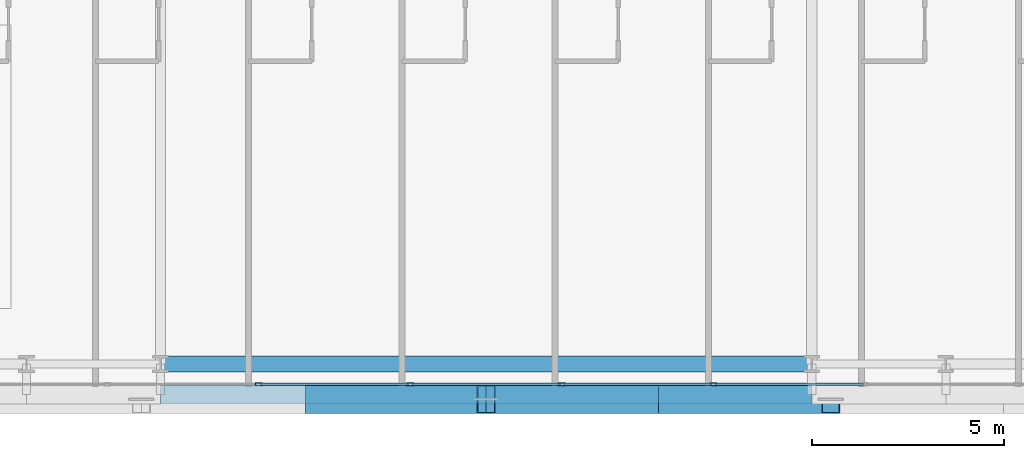
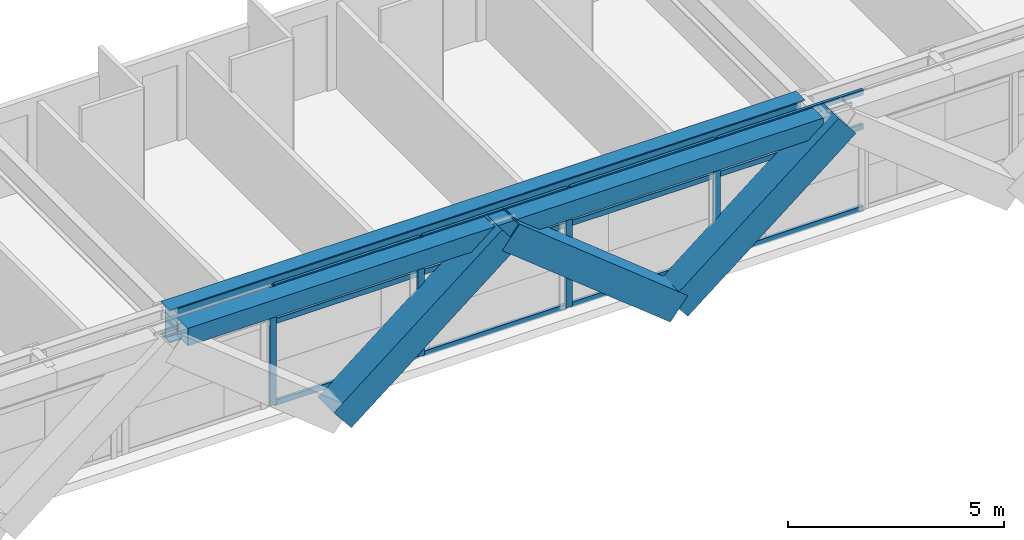
# One storey, part 5 of 36: 19 members, 2 beams, 1 element without a shape of its own.
"""IFC4 building model written with IfcOpenShell, lengths in metres."""

from ifc_helpers import new_model, si_unit, direction, frame, origin, origin_2d, place, context, subcontext, project, spatial, hollow_rectangle, i_section, extrude, source, transform, mapped, material, layer, layer_set, material_profile, profile_set, type_object, element, aggregate, save


model = new_model("IFC4")

# Units and contexts
model_context = context("Model", 3, precision=1e-05, world=origin(), true_north=direction((0.0, 1.0)))
body_context = subcontext(model_context, "Body", "Model", "MODEL_VIEW")
ifc_project = project(units=[si_unit("LENGTHUNIT", "METRE"), si_unit("AREAUNIT", "SQUARE_METRE"), si_unit("VOLUMEUNIT", "CUBIC_METRE"), si_unit("PLANEANGLEUNIT", "RADIAN"), si_unit("MASSUNIT", "GRAM", prefix="KILO")], contexts=[model_context])

# Site, building, storey
site_placement = place(None, origin())
site = spatial("IfcSite", under=ifc_project, at=site_placement, CompositionType="ELEMENT")
building_placement = place(site_placement, origin())
building = spatial("IfcBuilding", under=site, at=building_placement, Name="Ocotamira Hotel", CompositionType="ELEMENT")
storey_placement = place(building_placement, frame((0.0, 0.0, 136.800048828125)))
storey = spatial("IfcBuildingStorey", under=building, at=storey_placement, Name="L34", CompositionType="ELEMENT", Elevation=136.800048828125)

# Beams
ifc_material_1 = material(Name="Steel ASTM A992 Grade 50", Category="steel")
ifc_material_profile_1 = material_profile(ifc_material_1, i_section(OverallWidth=0.41796875, OverallDepth=0.927001953125, WebThickness=0.019287109375, FlangeThickness=0.031982421875, FilletRadius=0.02392578125, at=origin_2d()), Name="W36X231")
ifc_profile_set_1 = profile_set([ifc_material_profile_1], Name="Steel ASTM A992 Grade 50")
beam_type_1 = type_object("IfcBeamType", Name="BM-GIRD-W36X231", PredefinedType="BEAM", material=ifc_profile_set_1)
shared_shape_1 = source(origin(), body_context, "Body", "SweptSolid", [
    extrude(i_section(OverallWidth=0.41796875, OverallDepth=0.927001953125, WebThickness=0.019287109375, FlangeThickness=0.031982421875, FilletRadius=0.02392578125, at=origin_2d()), origin(), (0.0, 0.0, 1.0), 17.0),
])
beam_1_placement = place(storey_placement, frame((23.5, 2.949951171875, 2.896484375), z_axis=(1.0, 0.0, 0.0), x_axis=(0.0, 1.0, 0.0)))
element("IfcBeam", 1, at=beam_1_placement, inside=storey, type_object=beam_type_1, Name="L34 Girder Y2.95 X23.5-40.5", PredefinedType="BEAM", context=body_context, shape_type="MappedRepresentation", body=[
    mapped(shared_shape_1, transform((0.0, 0.0, 0.0), scale=1.0)),
])
ifc_material_2 = material(Name="Steel ASTM A500 Grade C", Category="steel")
ifc_material_profile_2 = material_profile(ifc_material_2, hollow_rectangle(XDim=0.5, YDim=0.5, WallThickness=0.02001953125, at=origin_2d()), Name="HSS500X500X20")
ifc_profile_set_2 = profile_set([ifc_material_profile_2], Name="Steel ASTM A500 Grade C")
beam_type_2 = type_object("IfcBeamType", Name="BM-SPAN-HSS500", PredefinedType="USERDEFINED", material=ifc_profile_set_2)
shared_shape_2 = source(origin(), body_context, "Body", "SweptSolid", [
    extrude(hollow_rectangle(XDim=0.5, YDim=0.5, WallThickness=0.02001953125, at=origin_2d()), origin(), (0.0, 0.0, 1.0), 17.0),
])
beam_2_placement = place(storey_placement, frame((23.5, 2.14990234375, 3.10986328125), z_axis=(1.0, 0.0, 0.0), x_axis=(0.0, 1.0, 0.0)))
element("IfcBeam", 2, at=beam_2_placement, inside=storey, type_object=beam_type_2, Name="L34 Edge Spandrel S X23.5-40.5", ObjectType="SPANDREL", PredefinedType="USERDEFINED", context=body_context, shape_type="MappedRepresentation", body=[
    mapped(shared_shape_2, transform((0.0, 0.0, 0.0), scale=1.0)),
])

# Members
ifc_material_3 = material(Name="Pale-metal coated steel ASTM A913 Grade 65", Category="steel")
ifc_material_profile_3 = material_profile(ifc_material_3, hollow_rectangle(XDim=0.75, YDim=0.75, WallThickness=0.028076171875, at=origin_2d()), Name="BOX750X750X28")
ifc_profile_set_3 = profile_set([ifc_material_profile_3], Name="Pale-metal coated steel ASTM A913 Grade 65")
member_type_1 = type_object("IfcMemberType", Name="MEM-EXO-BOX750", PredefinedType="BRACE", material=ifc_profile_set_3)
shared_shape_3 = source(origin(), body_context, "Body", "SweptSolid", [
    extrude(hollow_rectangle(XDim=0.75, YDim=0.75, WallThickness=0.028076171875, at=origin_2d()), origin(), (0.0, 0.0, 1.0), 5.7626953125),
])
for number, where, z_axis, x_axis, name in (
    (3, (27.5, 2.030029296875, -0.489990234375), (0.780881208953, 0.0, 0.624679547852), (0.0, 1.0, 0.0), "L34 Exoskeleton Diagrid S1.2"),
    (4, (36.5, 2.030029296875, -0.489990234375), (-0.780881208953, 0.0, 0.624679547852), (0.0, -1.0, 0.0), "L34 Exoskeleton Diagrid S2.1"),
    (5, (36.5, 2.030029296875, -0.489990234375), (0.780881208953, 0.0, 0.624679547852), (0.0, 1.0, 0.0), "L34 Exoskeleton Diagrid S2.2"),
):
    element("IfcMember", number, at=place(storey_placement, frame(where, z_axis=z_axis, x_axis=x_axis)), inside=storey, type_object=member_type_1, Name=name, PredefinedType="BRACE", context=body_context, shape_type="MappedRepresentation", body=[
        mapped(shared_shape_3, transform((0.0, 0.0, 0.0), scale=1.0)),
    ])

# Curtain wall, members
ifc_material_4 = material(Name="Anodised pale-metal aluminium and solar glass", Category="aluminium")
ifc_layer = layer(ifc_material_4, 0.179931640625)
ifc_layer_set = layer_set([ifc_layer], Name="Anodised pale-metal aluminium and solar glass")
curtain_wall_type = type_object("IfcCurtainWallType", Name="CW-SYS3-Z2", PredefinedType="NOTDEFINED", material=ifc_layer_set)
curtain_wall_placement = place(storey_placement, origin())
curtain_wall = element("IfcCurtainWall", 6, at=curtain_wall_placement, inside=storey, type_object=curtain_wall_type, Name="L34 Curtain Wall CW-3 CW-L34-S1", PredefinedType="NOTDEFINED")
ifc_material_5 = material(Name="Anodised pale-metal aluminium 6063-T6", Category="aluminium")
ifc_material_profile_4 = material_profile(ifc_material_5, hollow_rectangle(XDim=0.074951171875, YDim=0.14990234375, WallThickness=0.006103515625, at=origin_2d()), Name="HSS150X75X6")
ifc_profile_set_4 = profile_set([ifc_material_profile_4], Name="Anodised pale-metal aluminium 6063-T6")
member_type_2 = type_object("IfcMemberType", Name="CWT-150X75", PredefinedType="USERDEFINED", material=ifc_profile_set_4)
shared_shape_4 = source(origin(), body_context, "Body", "SweptSolid", [
    extrude(hollow_rectangle(XDim=0.074951171875, YDim=0.14990234375, WallThickness=0.006103515625, at=origin_2d()), origin(), (0.0, 0.0, 1.0), 3.87548828125),
])
member_1_placement = place(storey_placement, frame((26.106689453125, 2.419921875, 0.037353515625), z_axis=(1.0, 0.0, 0.0), x_axis=(0.0, 1.0, 0.0)))
member_1 = element("IfcMember", 7, at=member_1_placement, type_object=member_type_2, Name="CW-3 transom 4.1", ObjectType="TRANSOM", PredefinedType="USERDEFINED", context=body_context, shape_type="MappedRepresentation", body=[
    mapped(shared_shape_4, transform((0.0, 0.0, 0.0), scale=1.0)),
])
member_2_placement = place(storey_placement, frame((26.106689453125, 2.419921875, 2.349853515625), z_axis=(1.0, 0.0, 0.0), x_axis=(0.0, 1.0, 0.0)))
member_2 = element("IfcMember", 8, at=member_2_placement, type_object=member_type_2, Name="CW-3 transom 4.2", ObjectType="TRANSOM", PredefinedType="USERDEFINED", context=body_context, shape_type="MappedRepresentation", body=[
    mapped(shared_shape_4, transform((0.0, 0.0, 0.0), scale=1.0)),
])
member_3_placement = place(storey_placement, frame((26.106689453125, 2.419921875, 3.322509765625), z_axis=(1.0, 0.0, 0.0), x_axis=(0.0, 1.0, 0.0)))
member_3 = element("IfcMember", 9, at=member_3_placement, type_object=member_type_2, Name="CW-3 transom 4.3", ObjectType="TRANSOM", PredefinedType="USERDEFINED", context=body_context, shape_type="MappedRepresentation", body=[
    mapped(shared_shape_4, transform((0.0, 0.0, 0.0), scale=1.0)),
])
member_4_placement = place(storey_placement, frame((30.062255859375, 2.419921875, 0.037353515625), z_axis=(1.0, 0.0, 0.0), x_axis=(0.0, 1.0, 0.0)))
member_4 = element("IfcMember", 10, at=member_4_placement, type_object=member_type_2, Name="CW-3 transom 5.1", ObjectType="TRANSOM", PredefinedType="USERDEFINED", context=body_context, shape_type="MappedRepresentation", body=[
    mapped(shared_shape_4, transform((0.0, 0.0, 0.0), scale=1.0)),
])
member_5_placement = place(storey_placement, frame((30.062255859375, 2.419921875, 2.349853515625), z_axis=(1.0, 0.0, 0.0), x_axis=(0.0, 1.0, 0.0)))
member_5 = element("IfcMember", 11, at=member_5_placement, type_object=member_type_2, Name="CW-3 transom 5.2", ObjectType="TRANSOM", PredefinedType="USERDEFINED", context=body_context, shape_type="MappedRepresentation", body=[
    mapped(shared_shape_4, transform((0.0, 0.0, 0.0), scale=1.0)),
])
member_6_placement = place(storey_placement, frame((30.062255859375, 2.419921875, 3.322509765625), z_axis=(1.0, 0.0, 0.0), x_axis=(0.0, 1.0, 0.0)))
member_6 = element("IfcMember", 12, at=member_6_placement, type_object=member_type_2, Name="CW-3 transom 5.3", ObjectType="TRANSOM", PredefinedType="USERDEFINED", context=body_context, shape_type="MappedRepresentation", body=[
    mapped(shared_shape_4, transform((0.0, 0.0, 0.0), scale=1.0)),
])
member_7_placement = place(storey_placement, frame((34.017822265625, 2.419921875, 0.037353515625), z_axis=(1.0, 0.0, 0.0), x_axis=(0.0, 1.0, 0.0)))
member_7 = element("IfcMember", 13, at=member_7_placement, type_object=member_type_2, Name="CW-3 transom 6.1", ObjectType="TRANSOM", PredefinedType="USERDEFINED", context=body_context, shape_type="MappedRepresentation", body=[
    mapped(shared_shape_4, transform((0.0, 0.0, 0.0), scale=1.0)),
])
member_8_placement = place(storey_placement, frame((34.017822265625, 2.419921875, 2.349853515625), z_axis=(1.0, 0.0, 0.0), x_axis=(0.0, 1.0, 0.0)))
member_8 = element("IfcMember", 14, at=member_8_placement, type_object=member_type_2, Name="CW-3 transom 6.2", ObjectType="TRANSOM", PredefinedType="USERDEFINED", context=body_context, shape_type="MappedRepresentation", body=[
    mapped(shared_shape_4, transform((0.0, 0.0, 0.0), scale=1.0)),
])
member_9_placement = place(storey_placement, frame((34.017822265625, 2.419921875, 3.322509765625), z_axis=(1.0, 0.0, 0.0), x_axis=(0.0, 1.0, 0.0)))
member_9 = element("IfcMember", 15, at=member_9_placement, type_object=member_type_2, Name="CW-3 transom 6.3", ObjectType="TRANSOM", PredefinedType="USERDEFINED", context=body_context, shape_type="MappedRepresentation", body=[
    mapped(shared_shape_4, transform((0.0, 0.0, 0.0), scale=1.0)),
])
member_10_placement = place(storey_placement, frame((37.973388671875, 2.419921875, 0.037353515625), z_axis=(1.0, 0.0, 0.0), x_axis=(0.0, 1.0, 0.0)))
member_10 = element("IfcMember", 16, at=member_10_placement, type_object=member_type_2, Name="CW-3 transom 7.1", ObjectType="TRANSOM", PredefinedType="USERDEFINED", context=body_context, shape_type="MappedRepresentation", body=[
    mapped(shared_shape_4, transform((0.0, 0.0, 0.0), scale=1.0)),
])
member_11_placement = place(storey_placement, frame((37.973388671875, 2.419921875, 2.349853515625), z_axis=(1.0, 0.0, 0.0), x_axis=(0.0, 1.0, 0.0)))
member_11 = element("IfcMember", 17, at=member_11_placement, type_object=member_type_2, Name="CW-3 transom 7.2", ObjectType="TRANSOM", PredefinedType="USERDEFINED", context=body_context, shape_type="MappedRepresentation", body=[
    mapped(shared_shape_4, transform((0.0, 0.0, 0.0), scale=1.0)),
])
member_12_placement = place(storey_placement, frame((37.973388671875, 2.419921875, 3.322509765625), z_axis=(1.0, 0.0, 0.0), x_axis=(0.0, 1.0, 0.0)))
member_12 = element("IfcMember", 18, at=member_12_placement, type_object=member_type_2, Name="CW-3 transom 7.3", ObjectType="TRANSOM", PredefinedType="USERDEFINED", context=body_context, shape_type="MappedRepresentation", body=[
    mapped(shared_shape_4, transform((0.0, 0.0, 0.0), scale=1.0)),
])
ifc_material_profile_5 = material_profile(ifc_material_5, hollow_rectangle(XDim=0.080078125, YDim=0.179931640625, WallThickness=0.006103515625, at=origin_2d()), Name="HSS180X80X6")
ifc_profile_set_5 = profile_set([ifc_material_profile_5], Name="Anodised pale-metal aluminium 6063-T6")
member_type_3 = type_object("IfcMemberType", Name="CWM-180X75", PredefinedType="MULLION", material=ifc_profile_set_5)
shared_shape_5 = source(origin(), body_context, "Body", "SweptSolid", [
    extrude(hollow_rectangle(XDim=0.080078125, YDim=0.179931640625, WallThickness=0.006103515625, at=origin_2d()), origin(), (0.0, 0.0, 1.0), 3.35986328125),
])
member_13_placement = place(storey_placement, frame((26.066650390625, 2.419921875, 0.0), z_axis=(0.0, 0.0, 1.0), x_axis=(0.0, 1.0, 0.0)))
member_13 = element("IfcMember", 19, at=member_13_placement, type_object=member_type_3, Name="CW-3 mullion 4", PredefinedType="MULLION", context=body_context, shape_type="MappedRepresentation", body=[
    mapped(shared_shape_5, transform((0.0, 0.0, 0.0), scale=1.0)),
])
member_14_placement = place(storey_placement, frame((30.022216796875, 2.419921875, 0.0), z_axis=(0.0, 0.0, 1.0), x_axis=(0.0, 1.0, 0.0)))
member_14 = element("IfcMember", 20, at=member_14_placement, type_object=member_type_3, Name="CW-3 mullion 5", PredefinedType="MULLION", context=body_context, shape_type="MappedRepresentation", body=[
    mapped(shared_shape_5, transform((0.0, 0.0, 0.0), scale=1.0)),
])
member_15_placement = place(storey_placement, frame((33.977783203125, 2.419921875, 0.0), z_axis=(0.0, 0.0, 1.0), x_axis=(0.0, 1.0, 0.0)))
member_15 = element("IfcMember", 21, at=member_15_placement, type_object=member_type_3, Name="CW-3 mullion 6", PredefinedType="MULLION", context=body_context, shape_type="MappedRepresentation", body=[
    mapped(shared_shape_5, transform((0.0, 0.0, 0.0), scale=1.0)),
])
member_16_placement = place(storey_placement, frame((37.933349609375, 2.419921875, 0.0), z_axis=(0.0, 0.0, 1.0), x_axis=(0.0, 1.0, 0.0)))
member_16 = element("IfcMember", 22, at=member_16_placement, type_object=member_type_3, Name="CW-3 mullion 7", PredefinedType="MULLION", context=body_context, shape_type="MappedRepresentation", body=[
    mapped(shared_shape_5, transform((0.0, 0.0, 0.0), scale=1.0)),
])
aggregate(curtain_wall, [member_13, member_14, member_15, member_16, member_1, member_2, member_3, member_4, member_5, member_6, member_7, member_8, member_9, member_10, member_11, member_12])

save(model, "model.ifc")
